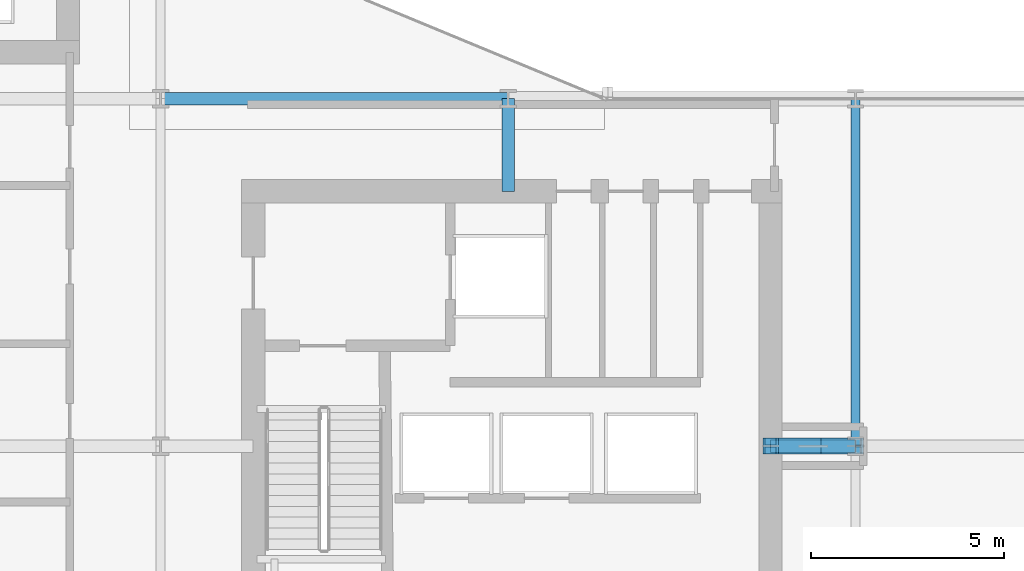
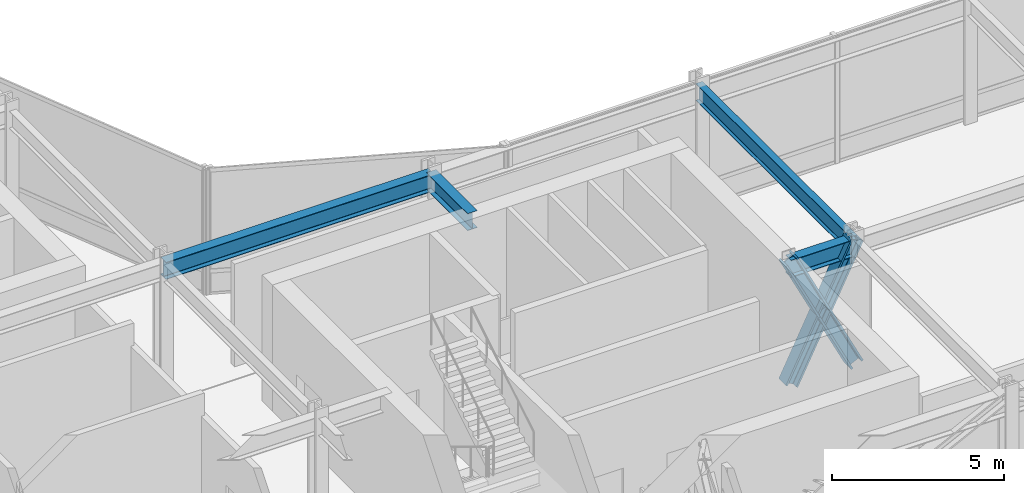
# One storey, part 15 of 42: 4 beams, 3 members.
"""IFC4 building model written with IfcOpenShell, lengths in metres."""

from ifc_helpers import new_model, si_unit, direction, frame, origin, origin_2d, place, context, subcontext, project, spatial, i_section, extrude, material, material_profile, profile_set, type_object, element, save


model = new_model("IFC4")

# Units and contexts
model_context = context("Model", 3, precision=1e-05, world=origin(), true_north=direction((0.0, 1.0)))
body_context = subcontext(model_context, "Body", "Model", "MODEL_VIEW")
ifc_project = project(units=[si_unit("LENGTHUNIT", "METRE"), si_unit("AREAUNIT", "SQUARE_METRE"), si_unit("VOLUMEUNIT", "CUBIC_METRE"), si_unit("PLANEANGLEUNIT", "RADIAN"), si_unit("MASSUNIT", "GRAM", prefix="KILO")], contexts=[model_context])

# Site, building, storey
site_placement = place(None, origin())
site = spatial("IfcSite", under=ifc_project, at=site_placement, CompositionType="ELEMENT")
building_placement = place(site_placement, origin())
building = spatial("IfcBuilding", under=site, at=building_placement, Name="Solvaryn Broadcast Tower", CompositionType="ELEMENT")
storey_placement = place(building_placement, frame((0.0, 0.0, 100.199951171875)))
storey = spatial("IfcBuildingStorey", under=building, at=storey_placement, Name="L24", CompositionType="ELEMENT", Elevation=100.199951171875)

# Beams
ifc_material_1 = material(Name="Steel ASTM A992 Grade 50", Category="steel")
ifc_material_profile_1 = material_profile(ifc_material_1, i_section(OverallWidth=0.323974609375, OverallDepth=0.611083984375, WebThickness=0.0126953125, FlangeThickness=0.01904296875, FilletRadius=0.014892578125, at=origin_2d()))
ifc_profile_set_1 = profile_set([ifc_material_profile_1], Name="Steel ASTM A992 Grade 50")
beam_type_1 = type_object("IfcBeamType", Name="BM-B1-W24X104", PredefinedType="BEAM", material=ifc_profile_set_1)
beam_1_placement = place(storey_placement, frame((27.0, 27.0, 4.16455078125), z_axis=(1.0, 0.0, 0.0), x_axis=(0.0, 1.0, 0.0)))
element("IfcBeam", 1, at=beam_1_placement, inside=storey, type_object=beam_type_1, Name="L24 Primary Beam X (27-36 @ Y=27)", PredefinedType="BEAM", context=body_context, shape_type="SweptSolid", body=[
    extrude(i_section(OverallWidth=0.323974609375, OverallDepth=0.611083984375, WebThickness=0.0126953125, FlangeThickness=0.01904296875, FilletRadius=0.014892578125, at=origin_2d()), origin(), (0.0, 0.0, 1.0), 9.0),
])
beam_2_placement = place(storey_placement, frame((36.0, 24.60009765625, 4.16455078125), z_axis=(0.0, 1.0, 0.0), x_axis=(-1.0, 0.0, 0.0)))
element("IfcBeam", 2, at=beam_2_placement, inside=storey, type_object=beam_type_1, Name="L24 Core Tie Beam CTE2", PredefinedType="BEAM", context=body_context, shape_type="SweptSolid", body=[
    extrude(i_section(OverallWidth=0.323974609375, OverallDepth=0.611083984375, WebThickness=0.0126953125, FlangeThickness=0.01904296875, FilletRadius=0.014892578125, at=origin_2d()), origin(), (0.0, 0.0, 1.0), 2.39990234375),
])
beam_3_placement = place(storey_placement, frame((42.800048828125, 18.0, 4.16455078125), z_axis=(1.0, 0.0, 0.0), x_axis=(0.0, 1.0, 0.0)))
element("IfcBeam", 3, at=beam_3_placement, inside=storey, type_object=beam_type_1, Name="L24 Core Tie Beam CTE3", PredefinedType="BEAM", context=body_context, shape_type="SweptSolid", body=[
    extrude(i_section(OverallWidth=0.323974609375, OverallDepth=0.611083984375, WebThickness=0.0126953125, FlangeThickness=0.01904296875, FilletRadius=0.014892578125, at=origin_2d()), origin(), (0.0, 0.0, 1.0), 2.199951171875),
])
ifc_material_2 = material(Name="Steel ASTM A992 Grade 50", Category="steel")
ifc_material_profile_2 = material_profile(ifc_material_2, i_section(OverallWidth=0.22802734375, OverallDepth=0.60791015625, WebThickness=0.01123046875, FlangeThickness=0.017333984375, FilletRadius=0.014892578125, at=origin_2d()))
ifc_profile_set_2 = profile_set([ifc_material_profile_2], Name="Steel ASTM A992 Grade 50")
beam_type_2 = type_object("IfcBeamType", Name="BM-B2-W24X76", PredefinedType="BEAM", material=ifc_profile_set_2)
beam_4_placement = place(storey_placement, frame((45.0, 18.0, 4.166015625), z_axis=(0.0, 1.0, 0.0), x_axis=(-1.0, 0.0, 0.0)))
element("IfcBeam", 4, at=beam_4_placement, inside=storey, type_object=beam_type_2, Name="L24 Primary Beam Y (18-27 @ X=45)", PredefinedType="BEAM", context=body_context, shape_type="SweptSolid", body=[
    extrude(i_section(OverallWidth=0.22802734375, OverallDepth=0.60791015625, WebThickness=0.01123046875, FlangeThickness=0.017333984375, FilletRadius=0.014892578125, at=origin_2d()), origin(), (0.0, 0.0, 1.0), 9.0),
])

# Members
ifc_material_3 = material(Name="Steel ASTM A913 Grade 65", Category="steel")
ifc_material_profile_3 = material_profile(ifc_material_3, i_section(OverallWidth=0.41796875, OverallDepth=0.455078125, WebThickness=0.0419921875, FlangeThickness=0.067626953125, FilletRadius=0.014892578125, at=origin_2d()))
ifc_profile_set_3 = profile_set([ifc_material_profile_3], Name="Steel ASTM A913 Grade 65")
member_type = type_object("IfcMemberType", Name="MB-OUTRIGGER-1", PredefinedType="BRACE", material=ifc_profile_set_3)
member_1_placement = place(storey_placement, frame((42.800048828125, 18.0, 0.02001953125), z_axis=(0.444783432465, 0.0, 0.895638151379), x_axis=(0.0, 1.0, 0.0)))
element("IfcMember", 5, at=member_1_placement, inside=storey, type_object=member_type, Name="L24 Outrigger X-Brace E Continuous Diagonal", PredefinedType="BRACE", context=body_context, shape_type="SweptSolid", body=[
    extrude(i_section(OverallWidth=0.41796875, OverallDepth=0.455078125, WebThickness=0.0419921875, FlangeThickness=0.067626953125, FilletRadius=0.014892578125, at=origin_2d()), origin(), (0.0, 0.0, 1.0), 4.946044921875),
])
member_2_placement = place(storey_placement, frame((42.800048828125, 18.0, 4.449951171875), z_axis=(0.444763499314, 0.0, -0.895648050117), x_axis=(0.0, 1.0, 0.0)))
element("IfcMember", 6, at=member_2_placement, inside=storey, type_object=member_type, Name="L24 Outrigger X-Brace E Split Diagonal Lower", PredefinedType="BRACE", context=body_context, shape_type="SweptSolid", body=[
    extrude(i_section(OverallWidth=0.41796875, OverallDepth=0.455078125, WebThickness=0.0419921875, FlangeThickness=0.067626953125, FilletRadius=0.014892578125, at=origin_2d()), origin(), (0.0, 0.0, 1.0), 2.472900390625),
])
member_3_placement = place(storey_placement, frame((43.89990234375, 18.0, 2.235107421875), z_axis=(0.444803362758, 0.0, -0.895628253507), x_axis=(0.0, 1.0, 0.0)))
element("IfcMember", 7, at=member_3_placement, inside=storey, type_object=member_type, Name="L24 Outrigger X-Brace E Split Diagonal Upper", PredefinedType="BRACE", context=body_context, shape_type="SweptSolid", body=[
    extrude(i_section(OverallWidth=0.41796875, OverallDepth=0.455078125, WebThickness=0.0419921875, FlangeThickness=0.067626953125, FilletRadius=0.014892578125, at=origin_2d()), origin(), (0.0, 0.0, 1.0), 2.47314453125),
])

save(model, "model.ifc")
